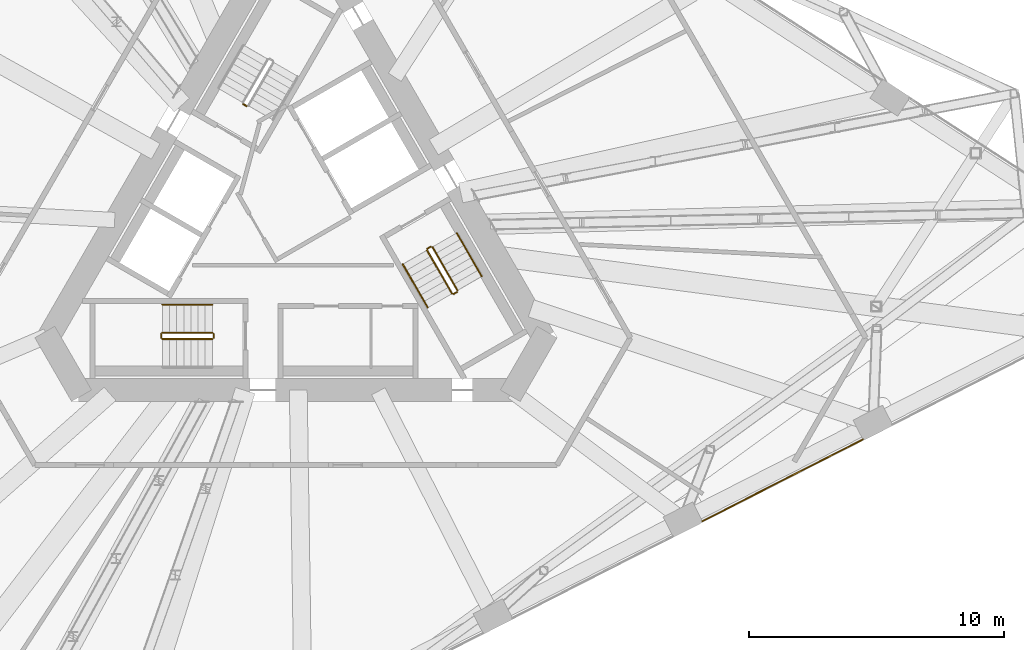
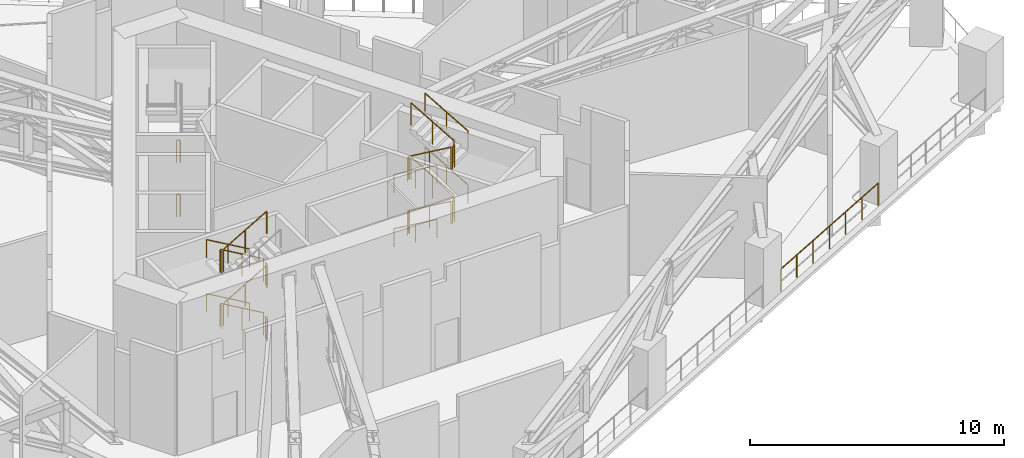
# One storey, part 23 of 26: 25 railings.
"""IFC4 building model written with IfcOpenShell, lengths in metres."""

from ifc_helpers import new_model, si_unit, direction, frame, origin, origin_2d, place, context, subcontext, project, spatial, circle, extrude, material, type_object, element, save


model = new_model("IFC4")

# Units and contexts
model_context = context("Model", 3, precision=1e-05, world=origin(), true_north=direction((0.0, 1.0)))
body_context = subcontext(model_context, "Body", "Model", "MODEL_VIEW")
ifc_project = project(units=[si_unit("LENGTHUNIT", "METRE"), si_unit("AREAUNIT", "SQUARE_METRE"), si_unit("VOLUMEUNIT", "CUBIC_METRE"), si_unit("PLANEANGLEUNIT", "RADIAN"), si_unit("MASSUNIT", "GRAM", prefix="KILO")], contexts=[model_context])

# Site, building, storey
site_placement = place(None, origin())
site = spatial("IfcSite", under=ifc_project, at=site_placement, CompositionType="ELEMENT")
building_placement = place(site_placement, origin())
building = spatial("IfcBuilding", under=site, at=building_placement, Name="Tramontana Tower", CompositionType="ELEMENT")
storey_placement = place(building_placement, frame((0.0, 0.0, 157.60009765625)))
storey = spatial("IfcBuildingStorey", under=building, at=storey_placement, Name="L36", CompositionType="ELEMENT", Elevation=157.60009765625)

# Railings
ifc_material_1 = material(Name="Stainless steel rail and posts", Category="steel")
railing_type_1 = type_object("IfcRailingType", Name="GD2 Terrace guard 1100", PredefinedType="GUARDRAIL", material=ifc_material_1)
railing_1_placement = place(storey_placement, frame((15.96044921875, -11.452392578125, 0.0)))
element("IfcRailing", 1, at=railing_1_placement, inside=storey, type_object=railing_type_1, Name="Edge guard L36 17", PredefinedType="GUARDRAIL", context=body_context, shape_type="SweptSolid", body=[
    extrude(circle(Radius=0.02392578125, at=origin_2d()), frame((0.0, 0.0, 1.076171875), z_axis=(0.891004189171, 0.45399508244, 0.0), x_axis=(-0.45399508244, 0.891004189171, 0.0)), (0.0, 0.0, 1.0), 7.071533203125),
    extrude(circle(Radius=0.02099609375, at=origin_2d()), origin(), (0.0, 0.0, 1.0), 1.052001953125),
    extrude(circle(Radius=0.02099609375, at=origin_2d()), frame((1.050048828125, 0.53515625, 0.0)), (0.0, 0.0, 1.0), 1.052001953125),
    extrude(circle(Radius=0.02099609375, at=origin_2d()), frame((2.100341796875, 1.070068359375, 0.0)), (0.0, 0.0, 1.0), 1.052001953125),
    extrude(circle(Radius=0.02099609375, at=origin_2d()), frame((3.150390625, 1.605224609375, 0.0)), (0.0, 0.0, 1.0), 1.052001953125),
    extrude(circle(Radius=0.02099609375, at=origin_2d()), frame((4.200439453125, 2.140380859375, 0.0)), (0.0, 0.0, 1.0), 1.052001953125),
    extrude(circle(Radius=0.02099609375, at=origin_2d()), frame((5.250732421875, 2.67529296875, 0.0)), (0.0, 0.0, 1.0), 1.052001953125),
    extrude(circle(Radius=0.02099609375, at=origin_2d()), frame((6.30078125, 3.21044921875, 0.0)), (0.0, 0.0, 1.0), 1.052001953125),
])
ifc_material_2 = material(Name="Painted steel", Category="steel")
railing_type_2 = type_object("IfcRailingType", Name="STAIR GUARD 1100", PredefinedType="GUARDRAIL", material=ifc_material_2)
for number, where, name in (
    (2, (-1.935791015625, 4.84716796875, 2.599853515625), "L36 ST1 stair guard 6"),
    (3, (-1.935791015625, 4.84716796875, 0.0), "L36 ST1 stair guard 8"),
):
    element("IfcRailing", number, at=place(storey_placement, frame(where)), inside=storey, type_object=railing_type_2, Name=name, PredefinedType="GUARDRAIL", context=body_context, shape_type="SweptSolid", body=[
        extrude(circle(Radius=0.02392578125, at=origin_2d()), frame((0.0, 0.0, 1.076171875), z_axis=(-0.865426285481, 0.501036270542, 0.0), x_axis=(-0.501036270542, -0.865426285481, 0.0)), (0.0, 0.0, 1.0), 0.150146484375),
        extrude(circle(Radius=0.02099609375, at=origin_2d()), origin(), (0.0, 0.0, 1.0), 1.052001953125),
        extrude(circle(Radius=0.02099609375, at=origin_2d()), frame((-0.1298828125, 0.0751953125, 0.0)), (0.0, 0.0, 1.0), 1.052001953125),
    ])
railing_2_placement = place(storey_placement, frame((-3.280029296875, -4.050048828125, 0.162353515625)))
element("IfcRailing", 4, at=railing_2_placement, inside=storey, type_object=railing_type_2, Name="L36 ST2 stair guard 1", PredefinedType="GUARDRAIL", context=body_context, shape_type="SweptSolid", body=[
    extrude(circle(Radius=0.02392578125, at=origin_2d()), frame((0.0, 0.0, 1.076171875), z_axis=(-0.864902109995, 0.0, 0.501940574298), x_axis=(0.0, -1.0, 0.0)), (0.0, 0.0, 1.0), 2.26611328125),
    extrude(circle(Radius=0.02099609375, at=origin_2d()), origin(), (0.0, 0.0, 1.0), 1.052001953125),
    extrude(circle(Radius=0.02099609375, at=origin_2d()), frame((-0.97998046875, 0.0, 0.56884765625)), (0.0, 0.0, 1.0), 1.052001953125),
    extrude(circle(Radius=0.02099609375, at=origin_2d()), frame((-1.9599609375, 0.0, 1.137451171875)), (0.0, 0.0, 1.0), 1.052001953125),
])
railing_3_placement = place(storey_placement, frame((-5.239990234375, -4.300048828125, 1.46240234375)))
element("IfcRailing", 5, at=railing_3_placement, inside=storey, type_object=railing_type_2, Name="L36 ST2 stair guard 2", PredefinedType="GUARDRAIL", context=body_context, shape_type="SweptSolid", body=[
    extrude(circle(Radius=0.02392578125, at=origin_2d()), frame((0.0, 0.0, 1.076171875), z_axis=(0.864902109995, 0.0, 0.501940574298), x_axis=(0.0, 1.0, 0.0)), (0.0, 0.0, 1.0), 2.26611328125),
    extrude(circle(Radius=0.02099609375, at=origin_2d()), origin(), (0.0, 0.0, 1.0), 1.052001953125),
    extrude(circle(Radius=0.02099609375, at=origin_2d()), frame((0.97998046875, 0.0, 0.56884765625)), (0.0, 0.0, 1.0), 1.052001953125),
    extrude(circle(Radius=0.02099609375, at=origin_2d()), frame((1.9599609375, 0.0, 1.137451171875)), (0.0, 0.0, 1.0), 1.052001953125),
])
railing_4_placement = place(storey_placement, frame((-3.280029296875, -4.050048828125, 2.762451171875)))
element("IfcRailing", 6, at=railing_4_placement, inside=storey, type_object=railing_type_2, Name="L36 ST2 stair guard 3", PredefinedType="GUARDRAIL", context=body_context, shape_type="SweptSolid", body=[
    extrude(circle(Radius=0.02392578125, at=origin_2d()), frame((0.0, 0.0, 1.076171875), z_axis=(-0.864902109995, 0.0, 0.501940574298), x_axis=(0.0, -1.0, 0.0)), (0.0, 0.0, 1.0), 2.26611328125),
    extrude(circle(Radius=0.02099609375, at=origin_2d()), origin(), (0.0, 0.0, 1.0), 1.052001953125),
    extrude(circle(Radius=0.02099609375, at=origin_2d()), frame((-0.97998046875, 0.0, 0.56884765625)), (0.0, 0.0, 1.0), 1.052001953125),
    extrude(circle(Radius=0.02099609375, at=origin_2d()), frame((-1.9599609375, 0.0, 1.137451171875)), (0.0, 0.0, 1.0), 1.052001953125),
])
railing_5_placement = place(storey_placement, frame((-5.239990234375, -4.300048828125, 4.0625)))
element("IfcRailing", 7, at=railing_5_placement, inside=storey, type_object=railing_type_2, Name="L36 ST2 stair guard 4", PredefinedType="GUARDRAIL", context=body_context, shape_type="SweptSolid", body=[
    extrude(circle(Radius=0.02392578125, at=origin_2d()), frame((0.0, 0.0, 1.076171875), z_axis=(0.864902109995, 0.0, 0.501940574298), x_axis=(0.0, 1.0, 0.0)), (0.0, 0.0, 1.0), 2.26611328125),
    extrude(circle(Radius=0.02099609375, at=origin_2d()), origin(), (0.0, 0.0, 1.0), 1.052001953125),
    extrude(circle(Radius=0.02099609375, at=origin_2d()), frame((0.97998046875, 0.0, 0.56884765625)), (0.0, 0.0, 1.0), 1.052001953125),
    extrude(circle(Radius=0.02099609375, at=origin_2d()), frame((1.9599609375, 0.0, 1.137451171875)), (0.0, 0.0, 1.0), 1.052001953125),
])
for number, where, name in (
    (8, (-5.2900390625, -4.10009765625, 1.2998046875), "L36 ST2 stair guard 5"),
    (9, (-3.22998046875, -4.10009765625, 2.599853515625), "L36 ST2 stair guard 6"),
    (10, (-5.2900390625, -4.10009765625, 3.89990234375), "L36 ST2 stair guard 7"),
    (11, (-3.22998046875, -4.10009765625, 0.0), "L36 ST2 stair guard 8"),
):
    element("IfcRailing", number, at=place(storey_placement, frame(where)), inside=storey, type_object=railing_type_2, Name=name, PredefinedType="GUARDRAIL", context=body_context, shape_type="SweptSolid", body=[
        extrude(circle(Radius=0.02392578125, at=origin_2d()), frame((0.0, 0.0, 1.076171875), z_axis=(0.0, -1.0, 0.0), x_axis=(1.0, 0.0, 0.0)), (0.0, 0.0, 1.0), 0.14990234375),
        extrude(circle(Radius=0.02099609375, at=origin_2d()), origin(), (0.0, 0.0, 1.0), 1.052001953125),
        extrude(circle(Radius=0.02099609375, at=origin_2d()), frame((0.0, -0.14990234375, 0.0)), (0.0, 0.0, 1.0), 1.052001953125),
    ])
railing_6_placement = place(storey_placement, frame((5.1474609375, -0.815673828125, 0.162353515625)))
element("IfcRailing", 12, at=railing_6_placement, inside=storey, type_object=railing_type_2, Name="L36 ST3 stair guard 1", PredefinedType="GUARDRAIL", context=body_context, shape_type="SweptSolid", body=[
    extrude(circle(Radius=0.02392578125, at=origin_2d()), frame((0.0, 0.0, 1.076171875), z_axis=(0.432466826973, -0.749005824891, 0.501958880634), x_axis=(0.866011328839, 0.500024377727, 0.0)), (0.0, 0.0, 1.0), 2.26611328125),
    extrude(circle(Radius=0.02099609375, at=origin_2d()), origin(), (0.0, 0.0, 1.0), 1.052001953125),
    extrude(circle(Radius=0.02099609375, at=origin_2d()), frame((0.489990234375, -0.8486328125, 0.56884765625)), (0.0, 0.0, 1.0), 1.052001953125),
    extrude(circle(Radius=0.02099609375, at=origin_2d()), frame((0.97998046875, -1.697265625, 1.137451171875)), (0.0, 0.0, 1.0), 1.052001953125),
])
railing_7_placement = place(storey_placement, frame((6.343994140625, -2.387939453125, 1.46240234375)))
element("IfcRailing", 13, at=railing_7_placement, inside=storey, type_object=railing_type_2, Name="L36 ST3 stair guard 2", PredefinedType="GUARDRAIL", context=body_context, shape_type="SweptSolid", body=[
    extrude(circle(Radius=0.02392578125, at=origin_2d()), frame((0.0, 0.0, 1.076171875), z_axis=(-0.432466826973, 0.749005824891, 0.501958880634), x_axis=(-0.866011328839, -0.500024377727, 0.0)), (0.0, 0.0, 1.0), 2.26611328125),
    extrude(circle(Radius=0.02099609375, at=origin_2d()), origin(), (0.0, 0.0, 1.0), 1.052001953125),
    extrude(circle(Radius=0.02099609375, at=origin_2d()), frame((-0.489990234375, 0.8486328125, 0.56884765625)), (0.0, 0.0, 1.0), 1.052001953125),
    extrude(circle(Radius=0.02099609375, at=origin_2d()), frame((-0.97998046875, 1.697265625, 1.137451171875)), (0.0, 0.0, 1.0), 1.052001953125),
])
railing_8_placement = place(storey_placement, frame((5.1474609375, -0.815673828125, 2.762451171875)))
element("IfcRailing", 14, at=railing_8_placement, inside=storey, type_object=railing_type_2, Name="L36 ST3 stair guard 3", PredefinedType="GUARDRAIL", context=body_context, shape_type="SweptSolid", body=[
    extrude(circle(Radius=0.02392578125, at=origin_2d()), frame((0.0, 0.0, 1.076171875), z_axis=(0.432466826973, -0.749005824891, 0.501958880634), x_axis=(0.866011328839, 0.500024377727, 0.0)), (0.0, 0.0, 1.0), 2.26611328125),
    extrude(circle(Radius=0.02099609375, at=origin_2d()), origin(), (0.0, 0.0, 1.0), 1.052001953125),
    extrude(circle(Radius=0.02099609375, at=origin_2d()), frame((0.489990234375, -0.8486328125, 0.56884765625)), (0.0, 0.0, 1.0), 1.052001953125),
    extrude(circle(Radius=0.02099609375, at=origin_2d()), frame((0.97998046875, -1.697265625, 1.137451171875)), (0.0, 0.0, 1.0), 1.052001953125),
])
railing_9_placement = place(storey_placement, frame((6.343994140625, -2.387939453125, 4.0625)))
element("IfcRailing", 15, at=railing_9_placement, inside=storey, type_object=railing_type_2, Name="L36 ST3 stair guard 4", PredefinedType="GUARDRAIL", context=body_context, shape_type="SweptSolid", body=[
    extrude(circle(Radius=0.02392578125, at=origin_2d()), frame((0.0, 0.0, 1.076171875), z_axis=(-0.432466826973, 0.749005824891, 0.501958880634), x_axis=(-0.866011328839, -0.500024377727, 0.0)), (0.0, 0.0, 1.0), 2.26611328125),
    extrude(circle(Radius=0.02099609375, at=origin_2d()), origin(), (0.0, 0.0, 1.0), 1.052001953125),
    extrude(circle(Radius=0.02099609375, at=origin_2d()), frame((-0.489990234375, 0.8486328125, 0.56884765625)), (0.0, 0.0, 1.0), 1.052001953125),
    extrude(circle(Radius=0.02099609375, at=origin_2d()), frame((-0.97998046875, 1.697265625, 1.137451171875)), (0.0, 0.0, 1.0), 1.052001953125),
])
for number, where, name in (
    (16, (6.19580078125, -2.53125, 1.2998046875), "L36 ST3 stair guard 5"),
    (17, (5.165771484375, -0.747314453125, 2.599853515625), "L36 ST3 stair guard 6"),
    (18, (6.19580078125, -2.53125, 3.89990234375), "L36 ST3 stair guard 7"),
    (19, (5.165771484375, -0.747314453125, 0.0), "L36 ST3 stair guard 8"),
):
    element("IfcRailing", number, at=place(storey_placement, frame(where)), inside=storey, type_object=railing_type_2, Name=name, PredefinedType="GUARDRAIL", context=body_context, shape_type="SweptSolid", body=[
        extrude(circle(Radius=0.02392578125, at=origin_2d()), frame((0.0, 0.0, 1.076171875), z_axis=(0.866131372301, 0.499816412211, 0.0), x_axis=(-0.499816412211, 0.866131372301, 0.0)), (0.0, 0.0, 1.0), 0.14990234375),
        extrude(circle(Radius=0.02099609375, at=origin_2d()), origin(), (0.0, 0.0, 1.0), 1.052001953125),
        extrude(circle(Radius=0.02099609375, at=origin_2d()), frame((0.1298828125, 0.074951171875, 0.0)), (0.0, 0.0, 1.0), 1.052001953125),
    ])
ifc_material_3 = material(Name="Painted steel", Category="steel")
railing_type_3 = type_object("IfcRailingType", Name="STAIR HANDRAIL 900", PredefinedType="HANDRAIL", material=ifc_material_3)
for number, where, name in (
    (20, (-3.280029296875, -2.949951171875, 0.162353515625), "L36 ST2 stair handrail 1"),
    (21, (-3.280029296875, -2.949951171875, 2.762451171875), "L36 ST2 stair handrail 3"),
):
    element("IfcRailing", number, at=place(storey_placement, frame(where)), inside=storey, type_object=railing_type_3, Name=name, PredefinedType="HANDRAIL", context=body_context, shape_type="SweptSolid", body=[
        extrude(circle(Radius=0.02392578125, at=origin_2d()), frame((0.0, 0.0, 0.8759765625), z_axis=(-0.864902109995, 0.0, 0.501940574298), x_axis=(0.0, -1.0, 0.0)), (0.0, 0.0, 1.0), 2.26611328125),
        extrude(circle(Radius=0.02099609375, at=origin_2d()), origin(), (0.0, 0.0, 1.0), 0.851806640625),
        extrude(circle(Radius=0.02099609375, at=origin_2d()), frame((-0.97998046875, 0.0, 0.56884765625)), (0.0, 0.0, 1.0), 0.851806640625),
        extrude(circle(Radius=0.02099609375, at=origin_2d()), frame((-1.9599609375, 0.0, 1.137451171875)), (0.0, 0.0, 1.0), 0.851806640625),
    ])
railing_10_placement = place(storey_placement, frame((4.19482421875, -1.365478515625, 0.162353515625)))
element("IfcRailing", 22, at=railing_10_placement, inside=storey, type_object=railing_type_3, Name="L36 ST3 stair handrail 1", PredefinedType="HANDRAIL", context=body_context, shape_type="SweptSolid", body=[
    extrude(circle(Radius=0.02392578125, at=origin_2d()), frame((0.0, 0.0, 0.8759765625), z_axis=(0.432431929651, -0.749053115811, 0.501918375746), x_axis=(0.866042469362, 0.499970440388, 0.0)), (0.0, 0.0, 1.0), 2.26611328125),
    extrude(circle(Radius=0.02099609375, at=origin_2d()), origin(), (0.0, 0.0, 1.0), 0.851806640625),
    extrude(circle(Radius=0.02099609375, at=origin_2d()), frame((0.489990234375, -0.8486328125, 0.56884765625)), (0.0, 0.0, 1.0), 0.851806640625),
    extrude(circle(Radius=0.02099609375, at=origin_2d()), frame((0.97998046875, -1.697509765625, 1.137451171875)), (0.0, 0.0, 1.0), 0.851806640625),
])
railing_11_placement = place(storey_placement, frame((7.296630859375, -1.837890625, 1.46240234375)))
element("IfcRailing", 23, at=railing_11_placement, inside=storey, type_object=railing_type_3, Name="L36 ST3 stair handrail 2", PredefinedType="HANDRAIL", context=body_context, shape_type="SweptSolid", body=[
    extrude(circle(Radius=0.02392578125, at=origin_2d()), frame((0.0, 0.0, 0.8759765625), z_axis=(-0.432466826973, 0.749005824891, 0.501958880634), x_axis=(-0.866011328839, -0.500024377727, 0.0)), (0.0, 0.0, 1.0), 2.26611328125),
    extrude(circle(Radius=0.02099609375, at=origin_2d()), origin(), (0.0, 0.0, 1.0), 0.851806640625),
    extrude(circle(Radius=0.02099609375, at=origin_2d()), frame((-0.489990234375, 0.8486328125, 0.56884765625)), (0.0, 0.0, 1.0), 0.851806640625),
    extrude(circle(Radius=0.02099609375, at=origin_2d()), frame((-0.97998046875, 1.697265625, 1.137451171875)), (0.0, 0.0, 1.0), 0.851806640625),
])
railing_12_placement = place(storey_placement, frame((4.19482421875, -1.365478515625, 2.762451171875)))
element("IfcRailing", 24, at=railing_12_placement, inside=storey, type_object=railing_type_3, Name="L36 ST3 stair handrail 3", PredefinedType="HANDRAIL", context=body_context, shape_type="SweptSolid", body=[
    extrude(circle(Radius=0.02392578125, at=origin_2d()), frame((0.0, 0.0, 0.8759765625), z_axis=(0.432431929651, -0.749053115811, 0.501918375746), x_axis=(0.866042469362, 0.499970440388, 0.0)), (0.0, 0.0, 1.0), 2.26611328125),
    extrude(circle(Radius=0.02099609375, at=origin_2d()), origin(), (0.0, 0.0, 1.0), 0.851806640625),
    extrude(circle(Radius=0.02099609375, at=origin_2d()), frame((0.489990234375, -0.8486328125, 0.56884765625)), (0.0, 0.0, 1.0), 0.851806640625),
    extrude(circle(Radius=0.02099609375, at=origin_2d()), frame((0.97998046875, -1.697509765625, 1.137451171875)), (0.0, 0.0, 1.0), 0.851806640625),
])
railing_13_placement = place(storey_placement, frame((7.296630859375, -1.837890625, 4.0625)))
element("IfcRailing", 25, at=railing_13_placement, inside=storey, type_object=railing_type_3, Name="L36 ST3 stair handrail 4", PredefinedType="HANDRAIL", context=body_context, shape_type="SweptSolid", body=[
    extrude(circle(Radius=0.02392578125, at=origin_2d()), frame((0.0, 0.0, 0.8759765625), z_axis=(-0.432466826973, 0.749005824891, 0.501958880634), x_axis=(-0.866011328839, -0.500024377727, 0.0)), (0.0, 0.0, 1.0), 2.26611328125),
    extrude(circle(Radius=0.02099609375, at=origin_2d()), origin(), (0.0, 0.0, 1.0), 0.851806640625),
    extrude(circle(Radius=0.02099609375, at=origin_2d()), frame((-0.489990234375, 0.8486328125, 0.56884765625)), (0.0, 0.0, 1.0), 0.851806640625),
    extrude(circle(Radius=0.02099609375, at=origin_2d()), frame((-0.97998046875, 1.697265625, 1.137451171875)), (0.0, 0.0, 1.0), 0.851806640625),
])

save(model, "model.ifc")
